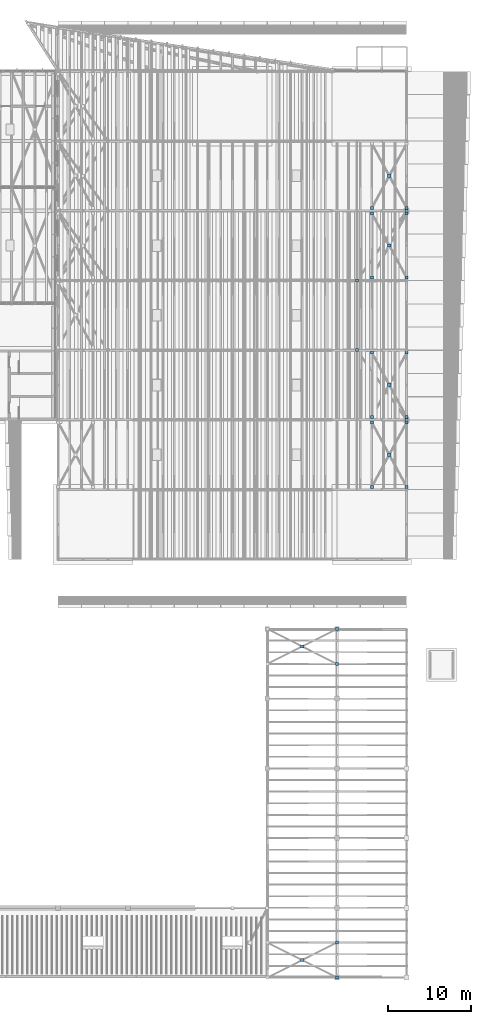
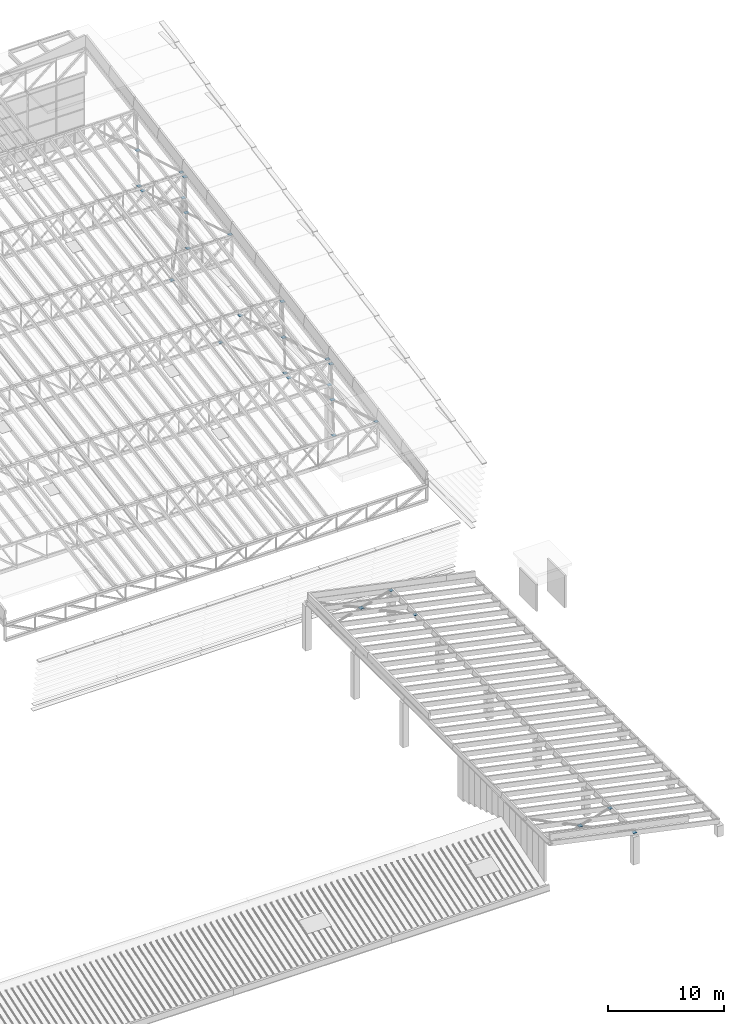
# One storey, part 70 of 91: 28 discrete accessories.
"""IFC4 building model written with IfcOpenShell, lengths in metres."""

from ifc_helpers import new_model, si_unit, direction, frame, origin, origin_2d, place, context, subcontext, project, spatial, rectangle, extrude, material, type_object, element, save


model = new_model("IFC4")

# Units and contexts
model_context = context("Model", 3, precision=1e-05, world=origin(), true_north=direction((0.0, 1.0)))
body_context = subcontext(model_context, "Body", "Model", "MODEL_VIEW")
ifc_project = project(units=[si_unit("LENGTHUNIT", "METRE"), si_unit("AREAUNIT", "SQUARE_METRE"), si_unit("VOLUMEUNIT", "CUBIC_METRE"), si_unit("PLANEANGLEUNIT", "RADIAN"), si_unit("MASSUNIT", "GRAM", prefix="KILO")], contexts=[model_context])

# Site, building, storey
site_placement = place(None, origin())
site = spatial("IfcSite", under=ifc_project, at=site_placement, CompositionType="ELEMENT")
building_placement = place(site_placement, origin())
building = spatial("IfcBuilding", under=site, at=building_placement, Name="Almond Square Museum", CompositionType="ELEMENT")
storey_placement = place(building_placement, frame((0.0, 0.0, 30.0)))
storey = spatial("IfcBuildingStorey", under=building, at=storey_placement, Name="L05", CompositionType="ELEMENT", Elevation=30.0)

# Discrete accessories
ifc_material_1 = material(Name="Structural steel S355", Category="steel")
discrete_accessory_type_1 = type_object("IfcDiscreteAccessoryType", Name="Brace crossing plate", PredefinedType="BRACKET", material=ifc_material_1)
for number, where, z_axis, x_axis, name in (
    (1, (146.699951171875, 63.014892578125, 8.34228515625), (0.0, 0.0, 1.0), (1.0, 0.0, 0.0), "Brace crossing plate"),
    (2, (146.699951171875, 71.4150390625, 9.812255859375), (0.0, 0.0, 1.0), (1.0, 0.0, 0.0), "Brace crossing plate"),
    (3, (146.699951171875, 88.215087890625, 12.752197265625), (0.0, 0.0, 1.0), (1.0, 0.0, 0.0), "Brace crossing plate"),
    (4, (146.699951171875, 96.614990234375, 14.222412109375), (0.0, 0.0, 1.0), (1.0, 0.0, 0.0), "Brace crossing plate"),
    (5, (136.199951171875, 2.10009765625, 4.095947265625), (0.0, 0.0, 1.0), (1.0, 0.0, 0.0), "Brace crossing plate"),
    (6, (136.199951171875, 39.89990234375, 4.095947265625), (0.0, 0.0, 1.0), (1.0, 0.0, 0.0), "Brace crossing plate"),
):
    element("IfcDiscreteAccessory", number, at=place(storey_placement, frame(where, z_axis=z_axis, x_axis=x_axis)), inside=storey, type_object=discrete_accessory_type_1, Name=name, PredefinedType="BRACKET", context=body_context, shape_type="SweptSolid", body=[
        extrude(rectangle(XDim=0.39990234375, YDim=0.39990234375, at=origin_2d()), origin(), (0.0, 0.0, 1.0), 0.02001953125),
    ])
ifc_material_2 = material(Name="Structural steel S355", Category="steel")
discrete_accessory_type_2 = type_object("IfcDiscreteAccessoryType", Name="Brace end plate", PredefinedType="BRACKET", material=ifc_material_2)
for number, where, z_axis, x_axis, name in (
    (7, (148.800048828125, 67.199951171875, 6.625), (0.0, 0.0, 1.0), (1.0, 0.0, 0.0), "Brace end plate"),
    (8, (142.800048828125, 75.60009765625, 8.09521484375), (0.0, 0.0, 1.0), (1.0, 0.0, 0.0), "Brace end plate"),
    (9, (142.800048828125, 84.0, 9.56494140625), (0.0, 0.0, 1.0), (1.0, 0.0, 0.0), "Brace end plate"),
    (10, (148.800048828125, 92.39990234375, 11.03515625), (0.0, 0.0, 1.0), (1.0, 0.0, 0.0), "Brace end plate"),
    (11, (144.60009765625, 59.1298828125, 7.6572265625), (0.0, 0.0, 1.0), (1.0, 0.0, 0.0), "Brace end plate"),
    (12, (148.800048828125, 66.89990234375, 9.01708984375), (0.0, 0.0, 1.0), (1.0, 0.0, 0.0), "Brace end plate"),
    (13, (148.800048828125, 59.1298828125, 7.6572265625), (0.0, 0.0, 1.0), (1.0, 0.0, 0.0), "Brace end plate"),
    (14, (144.60009765625, 66.89990234375, 9.01708984375), (0.0, 0.0, 1.0), (1.0, 0.0, 0.0), "Brace end plate"),
    (15, (144.60009765625, 67.530029296875, 9.12744140625), (0.0, 0.0, 1.0), (1.0, 0.0, 0.0), "Brace end plate"),
    (16, (148.800048828125, 75.300048828125, 10.4873046875), (0.0, 0.0, 1.0), (1.0, 0.0, 0.0), "Brace end plate"),
    (17, (148.800048828125, 67.530029296875, 9.12744140625), (0.0, 0.0, 1.0), (1.0, 0.0, 0.0), "Brace end plate"),
    (18, (144.60009765625, 75.300048828125, 10.4873046875), (0.0, 0.0, 1.0), (1.0, 0.0, 0.0), "Brace end plate"),
    (19, (144.60009765625, 84.330078125, 12.0673828125), (0.0, 0.0, 1.0), (1.0, 0.0, 0.0), "Brace end plate"),
    (20, (148.800048828125, 92.10009765625, 13.42724609375), (0.0, 0.0, 1.0), (1.0, 0.0, 0.0), "Brace end plate"),
    (21, (148.800048828125, 84.330078125, 12.0673828125), (0.0, 0.0, 1.0), (1.0, 0.0, 0.0), "Brace end plate"),
    (22, (144.60009765625, 92.10009765625, 13.42724609375), (0.0, 0.0, 1.0), (1.0, 0.0, 0.0), "Brace end plate"),
    (23, (144.60009765625, 92.72998046875, 13.53759765625), (0.0, 0.0, 1.0), (1.0, 0.0, 0.0), "Brace end plate"),
    (24, (148.800048828125, 92.72998046875, 13.53759765625), (0.0, 0.0, 1.0), (1.0, 0.0, 0.0), "Brace end plate"),
    (25, (140.3798828125, 4.199951171875, 3.2021484375), (0.0, 0.0, 1.0), (1.0, 0.0, 0.0), "Brace end plate"),
    (26, (140.3798828125, 0.0, 3.2021484375), (0.0, 0.0, 1.0), (1.0, 0.0, 0.0), "Brace end plate"),
    (27, (140.3798828125, 37.800048828125, 3.2021484375), (0.0, 0.0, 1.0), (1.0, 0.0, 0.0), "Brace end plate"),
    (28, (140.3798828125, 42.0, 3.2021484375), (0.0, 0.0, 1.0), (1.0, 0.0, 0.0), "Brace end plate"),
):
    element("IfcDiscreteAccessory", number, at=place(storey_placement, frame(where, z_axis=z_axis, x_axis=x_axis)), inside=storey, type_object=discrete_accessory_type_2, Name=name, PredefinedType="BRACKET", context=body_context, shape_type="SweptSolid", body=[
        extrude(rectangle(XDim=0.360107421875, YDim=0.360107421875, at=origin_2d()), origin(), (0.0, 0.0, 1.0), 0.030029296875),
    ])

save(model, "model.ifc")
